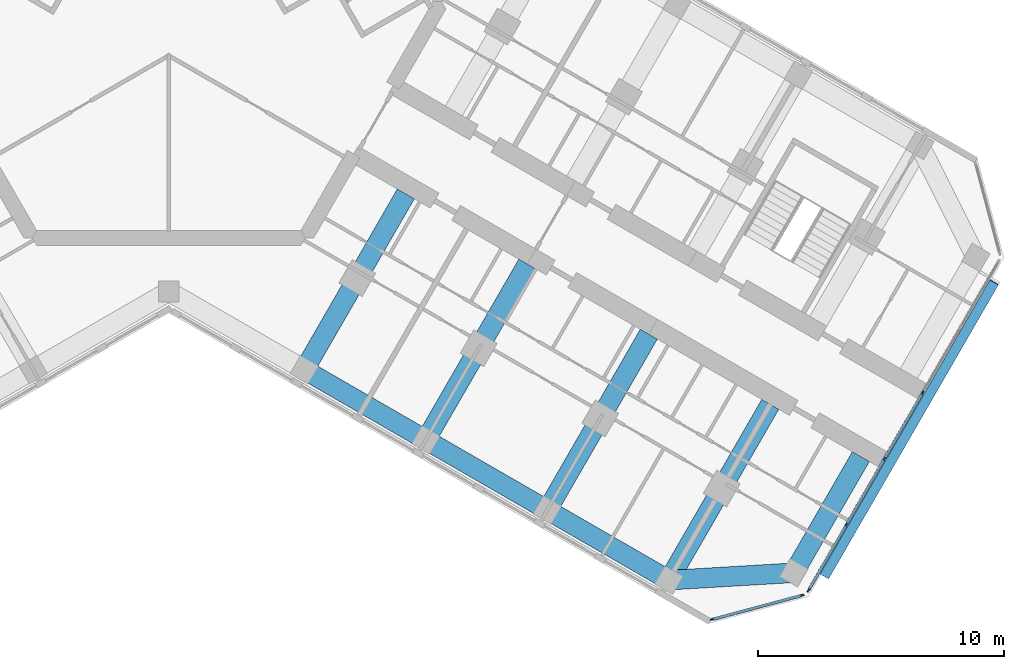
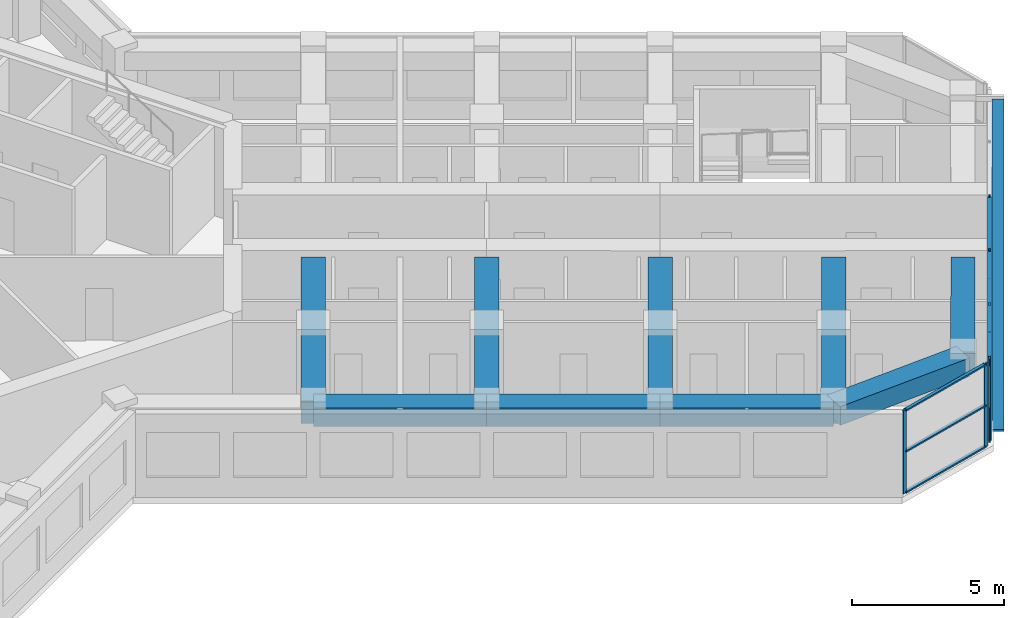
# One storey, part 4 of 16: 16 members, 9 beams, 2 elements without a shape of their own.
"""IFC4 building model written with IfcOpenShell, lengths in metres."""

from ifc_helpers import new_model, si_unit, direction, frame, origin, origin_2d, place, context, subcontext, project, spatial, rectangle, extrude, material, material_profile, profile_set, type_object, element, aggregate, save


model = new_model("IFC4")

# Units and contexts
model_context = context("Model", 3, precision=1e-05, world=origin(), true_north=direction((0.0, 1.0)))
body_context = subcontext(model_context, "Body", "Model", "MODEL_VIEW")
ifc_project = project(units=[si_unit("LENGTHUNIT", "METRE"), si_unit("AREAUNIT", "SQUARE_METRE"), si_unit("VOLUMEUNIT", "CUBIC_METRE"), si_unit("PLANEANGLEUNIT", "RADIAN"), si_unit("MASSUNIT", "GRAM", prefix="KILO")], contexts=[model_context])

# Site, building, storey
site_placement = place(None, origin())
site = spatial("IfcSite", under=ifc_project, at=site_placement, CompositionType="ELEMENT")
building_placement = place(site_placement, origin())
building = spatial("IfcBuilding", under=site, at=building_placement, Name="Kosmar Iwan School Tower", CompositionType="ELEMENT")
storey_placement = place(building_placement, frame((0.0, 0.0, 246.0)))
storey = spatial("IfcBuildingStorey", under=building, at=storey_placement, Name="L62", CompositionType="ELEMENT", Elevation=246.0)

# Member
ifc_material_1 = material(Name="Black anodised aluminium", Category="aluminium")
ifc_material_profile_1 = material_profile(ifc_material_1, rectangle(XDim=0.10009765625, YDim=0.39990234375, at=origin_2d()), Name="FIN 100x400")
ifc_profile_set_1 = profile_set([ifc_material_profile_1], Name="Black anodised aluminium")
member_type_1 = type_object("IfcMemberType", Name="Diagonal fin 100x400", PredefinedType="USERDEFINED", material=ifc_profile_set_1)
member_1_placement = place(storey_placement, frame((26.645263671875, -23.34912109375, -0.14990234375), z_axis=(0.483795538458, 0.837973939202, 0.252470897702), x_axis=(-0.126233699175, -0.218647221293, 0.967604488318)))
element("IfcMember", 1, at=member_1_placement, inside=storey, type_object=member_type_1, Name="Diagonal fin L62-F01", ObjectType="FIN", PredefinedType="USERDEFINED", context=body_context, shape_type="SweptSolid", body=[
    extrude(rectangle(XDim=0.10009765625, YDim=0.39990234375, at=origin_2d()), origin(), (0.0, 0.0, 1.0), 14.258544921875),
])

# Curtain wall, members
ifc_material_2 = material(Name="Dark glass in black aluminium frame", Category="aluminium")
curtain_wall_type_1 = type_object("IfcCurtainWallType", Name="Chamfer curtain wall dark glass", PredefinedType="USERDEFINED", material=ifc_material_2)
curtain_wall_1_placement = place(storey_placement, origin())
curtain_wall_1 = element("IfcCurtainWall", 2, at=curtain_wall_1_placement, inside=storey, type_object=curtain_wall_type_1, Name="Curtain wall L62-F00", ObjectType="FACETED CURTAIN WALL", PredefinedType="USERDEFINED")
ifc_material_3 = material(Name="Black anodised aluminium", Category="aluminium")
ifc_material_profile_2 = material_profile(ifc_material_3, rectangle(XDim=0.06005859375, YDim=0.159912109375, at=origin_2d()), Name="MULLION 60x160")
ifc_profile_set_2 = profile_set([ifc_material_profile_2], Name="Black anodised aluminium")
member_type_2 = type_object("IfcMemberType", Name="Mullion 60x160", PredefinedType="MULLION", material=ifc_profile_set_2)
member_2_placement = place(storey_placement, frame((22.0830078125, -25.102294921875, 0.0), z_axis=(0.0, 0.0, 1.0), x_axis=(-0.258818861462, 0.965925875495, 0.0)))
member_2 = element("IfcMember", 3, at=member_2_placement, type_object=member_type_2, Name="CW2 mullion 1", PredefinedType="MULLION", context=body_context, shape_type="SweptSolid", body=[
    extrude(rectangle(XDim=0.06005859375, YDim=0.159912109375, at=origin_2d()), origin(), (0.0, 0.0, 1.0), 3.35009765625),
])
member_3_placement = place(storey_placement, frame((25.733154296875, -24.124267578125, 0.0), z_axis=(0.0, 0.0, 1.0), x_axis=(-0.258818861462, 0.965925875495, 0.0)))
member_3 = element("IfcMember", 4, at=member_3_placement, type_object=member_type_2, Name="CW2 mullion 2", PredefinedType="MULLION", context=body_context, shape_type="SweptSolid", body=[
    extrude(rectangle(XDim=0.06005859375, YDim=0.159912109375, at=origin_2d()), origin(), (0.0, 0.0, 1.0), 3.35009765625),
])

ifc_material_4 = material(Name="Dark glass in black aluminium frame", Category="aluminium")
curtain_wall_type_2 = type_object("IfcCurtainWallType", Name="Tower curtain wall dark glass", PredefinedType="USERDEFINED", material=ifc_material_4)
curtain_wall_2_placement = place(storey_placement, origin())
curtain_wall_2 = element("IfcCurtainWall", 5, at=curtain_wall_2_placement, inside=storey, type_object=curtain_wall_type_2, Name="Curtain wall L62-F01", ObjectType="UNITISED CURTAIN WALL", PredefinedType="USERDEFINED")
member_4_placement = place(storey_placement, frame((25.9970703125, -23.921630859375, 0.0), z_axis=(0.0, 0.0, 1.0), x_axis=(-0.866025405329, 0.499999997325, 0.0)))
member_4 = element("IfcMember", 6, at=member_4_placement, type_object=member_type_2, Name="CW1 mullion 1", PredefinedType="MULLION", context=body_context, shape_type="SweptSolid", body=[
    extrude(rectangle(XDim=0.06005859375, YDim=0.159912109375, at=origin_2d()), origin(), (0.0, 0.0, 1.0), 3.35009765625),
])
member_5_placement = place(storey_placement, frame((27.53173828125, -21.263671875, 0.0), z_axis=(0.0, 0.0, 1.0), x_axis=(-0.866025405329, 0.499999997325, 0.0)))
member_5 = element("IfcMember", 7, at=member_5_placement, type_object=member_type_2, Name="CW1 mullion 2", PredefinedType="MULLION", context=body_context, shape_type="SweptSolid", body=[
    extrude(rectangle(XDim=0.06005859375, YDim=0.159912109375, at=origin_2d()), origin(), (0.0, 0.0, 1.0), 3.35009765625),
])
member_6_placement = place(storey_placement, frame((29.081298828125, -18.57958984375, 0.0), z_axis=(0.0, 0.0, 1.0), x_axis=(-0.866025405329, 0.499999997325, 0.0)))
member_6 = element("IfcMember", 8, at=member_6_placement, type_object=member_type_2, Name="CW1 mullion 3", PredefinedType="MULLION", context=body_context, shape_type="SweptSolid", body=[
    extrude(rectangle(XDim=0.06005859375, YDim=0.159912109375, at=origin_2d()), origin(), (0.0, 0.0, 1.0), 3.35009765625),
])
member_7_placement = place(storey_placement, frame((30.631103515625, -15.8955078125, 0.0), z_axis=(0.0, 0.0, 1.0), x_axis=(-0.866025405329, 0.499999997325, 0.0)))
member_7 = element("IfcMember", 9, at=member_7_placement, type_object=member_type_2, Name="CW1 mullion 4", PredefinedType="MULLION", context=body_context, shape_type="SweptSolid", body=[
    extrude(rectangle(XDim=0.06005859375, YDim=0.159912109375, at=origin_2d()), origin(), (0.0, 0.0, 1.0), 3.35009765625),
])

# Beams
ifc_material_5 = material(Name="Concrete C50/60", Category="concrete")
ifc_material_profile_3 = material_profile(ifc_material_5, rectangle(XDim=0.800048828125, YDim=0.75, at=origin_2d()), Name="RC 800x750")
ifc_profile_set_3 = profile_set([ifc_material_profile_3], Name="Concrete C50/60")
beam_type_1 = type_object("IfcBeamType", Name="RC edge beam 800x750", PredefinedType="BEAM", material=ifc_profile_set_3)
beam_1_placement = place(storey_placement, frame((5.5087890625, -14.95849609375, 2.97509765625), z_axis=(0.866033658841, -0.49998570155, 0.0), x_axis=(0.49998570155, 0.866033658841, 0.0)))
element("IfcBeam", 10, at=beam_1_placement, inside=storey, type_object=beam_type_1, Name="Edge beam CR2", PredefinedType="BEAM", context=body_context, shape_type="SweptSolid", body=[
    extrude(rectangle(XDim=0.800048828125, YDim=0.75, at=origin_2d()), origin(), (0.0, 0.0, 1.0), 5.699951171875),
])
beam_2_placement = place(storey_placement, frame((10.445068359375, -17.808349609375, 2.97509765625), z_axis=(0.866025820012, -0.499999279071, 0.0), x_axis=(0.499999279071, 0.866025820012, 0.0)))
element("IfcBeam", 11, at=beam_2_placement, inside=storey, type_object=beam_type_1, Name="Edge beam CR3", PredefinedType="BEAM", context=body_context, shape_type="SweptSolid", body=[
    extrude(rectangle(XDim=0.800048828125, YDim=0.75, at=origin_2d()), origin(), (0.0, 0.0, 1.0), 5.7001953125),
])
beam_3_placement = place(storey_placement, frame((15.381591796875, -20.658447265625, 2.97509765625), z_axis=(0.866015111908, -0.50001782563, 0.0), x_axis=(0.50001782563, 0.866015111908, 0.0)))
element("IfcBeam", 12, at=beam_3_placement, inside=storey, type_object=beam_type_1, Name="Edge beam CR4", PredefinedType="BEAM", context=body_context, shape_type="SweptSolid", body=[
    extrude(rectangle(XDim=0.800048828125, YDim=0.75, at=origin_2d()), origin(), (0.0, 0.0, 1.0), 5.699951171875),
])
ifc_material_6 = material(Name="Concrete C50/60", Category="concrete")
ifc_material_profile_4 = material_profile(ifc_material_6, rectangle(XDim=0.800048828125, YDim=0.75, at=origin_2d()), Name="RC 800x750")
ifc_profile_set_4 = profile_set([ifc_material_profile_4], Name="Concrete C50/60")
beam_type_2 = type_object("IfcBeamType", Name="RC tip beam 800x750", PredefinedType="BEAM", material=ifc_profile_set_4)
beam_4_placement = place(storey_placement, frame((20.31787109375, -23.508544921875, 2.97509765625), z_axis=(0.998260616478, 0.058955420358, 0.0), x_axis=(-0.058955420358, 0.998260616478, 0.0)))
element("IfcBeam", 13, at=beam_4_placement, inside=storey, type_object=beam_type_2, Name="Tip beam CR", PredefinedType="BEAM", context=body_context, shape_type="SweptSolid", body=[
    extrude(rectangle(XDim=0.800048828125, YDim=0.75, at=origin_2d()), origin(), (0.0, 0.0, 1.0), 5.08935546875),
])
beam_5_placement = place(storey_placement, frame((25.3984375, -23.20849609375, 2.97509765625), z_axis=(0.500022328685, 0.866012511928, 0.0), x_axis=(-0.866012511928, 0.500022328685, 0.0)))
element("IfcBeam", 14, at=beam_5_placement, inside=storey, type_object=beam_type_2, Name="Tip beam CR to corridor wall", PredefinedType="BEAM", context=body_context, shape_type="SweptSolid", body=[
    extrude(rectangle(XDim=0.800048828125, YDim=0.75, at=origin_2d()), origin(), (0.0, 0.0, 1.0), 5.449951171875),
])
ifc_material_7 = material(Name="Concrete C50/60", Category="concrete")
ifc_material_profile_5 = material_profile(ifc_material_7, rectangle(XDim=0.800048828125, YDim=0.89990234375, at=origin_2d()), Name="RC 800x900")
ifc_profile_set_5 = profile_set([ifc_material_profile_5], Name="Concrete C50/60")
beam_type_3 = type_object("IfcBeamType", Name="RC transverse beam 800x900", PredefinedType="BEAM", material=ifc_profile_set_5)
beam_6_placement = place(storey_placement, frame((5.5087890625, -14.95849609375, 2.89990234375), z_axis=(0.499996545922, 0.866027397988, 0.0), x_axis=(-0.866027397988, 0.499996545922, 0.0)))
element("IfcBeam", 15, at=beam_6_placement, inside=storey, type_object=beam_type_3, Name="Transverse beam CR1", PredefinedType="BEAM", context=body_context, shape_type="SweptSolid", body=[
    extrude(rectangle(XDim=0.800048828125, YDim=0.89990234375, at=origin_2d()), origin(), (0.0, 0.0, 1.0), 8.25),
])
beam_7_placement = place(storey_placement, frame((10.445068359375, -17.808349609375, 2.89990234375), z_axis=(0.500009360108, 0.866019999656, 0.0), x_axis=(-0.866019999656, 0.500009360108, 0.0)))
element("IfcBeam", 16, at=beam_7_placement, inside=storey, type_object=beam_type_3, Name="Transverse beam CR2", PredefinedType="BEAM", context=body_context, shape_type="SweptSolid", body=[
    extrude(rectangle(XDim=0.800048828125, YDim=0.89990234375, at=origin_2d()), origin(), (0.0, 0.0, 1.0), 8.249755859375),
])
for number, where, z_axis, x_axis, name in (
    (17, (15.381591796875, -20.658447265625, 2.89990234375), (0.499996545922, 0.866027397988, 0.0), (-0.866027397988, 0.499996545922, 0.0), "Transverse beam CR3"),
    (18, (20.31787109375, -23.508544921875, 2.89990234375), (0.499996545922, 0.866027397988, 0.0), (-0.866027397988, 0.499996545922, 0.0), "Transverse beam CR4"),
):
    element("IfcBeam", number, at=place(storey_placement, frame(where, z_axis=z_axis, x_axis=x_axis)), inside=storey, type_object=beam_type_3, Name=name, PredefinedType="BEAM", context=body_context, shape_type="SweptSolid", body=[
        extrude(rectangle(XDim=0.800048828125, YDim=0.89990234375, at=origin_2d()), origin(), (0.0, 0.0, 1.0), 8.25),
    ])

# Member
ifc_material_8 = material(Name="Black anodised aluminium", Category="aluminium")
ifc_material_profile_6 = material_profile(ifc_material_8, rectangle(XDim=0.1201171875, YDim=0.06005859375, at=origin_2d()), Name="TRANSOM 60x120")
ifc_profile_set_6 = profile_set([ifc_material_profile_6], Name="Black anodised aluminium")
member_type_3 = type_object("IfcMemberType", Name="Transom 60x120", PredefinedType="USERDEFINED", material=ifc_profile_set_6)
member_8_placement = place(storey_placement, frame((22.11181640625, -25.094482421875, 0.030029296875), z_axis=(0.965923731726, 0.258826861991, 0.0), x_axis=(-0.258826861991, 0.965923731726, 0.0)))
member_8 = element("IfcMember", 19, at=member_8_placement, type_object=member_type_3, Name="CW2 transom 1.1", ObjectType="TRANSOM", PredefinedType="USERDEFINED", context=body_context, shape_type="SweptSolid", body=[
    extrude(rectangle(XDim=0.1201171875, YDim=0.06005859375, at=origin_2d()), origin(), (0.0, 0.0, 1.0), 3.71923828125),
])

member_9_placement = place(storey_placement, frame((22.11181640625, -25.094482421875, 1.675048828125), z_axis=(0.965923731726, 0.258826861991, 0.0), x_axis=(-0.258826861991, 0.965923731726, 0.0)))
member_9 = element("IfcMember", 20, at=member_9_placement, type_object=member_type_3, Name="CW2 transom 1.2", ObjectType="TRANSOM", PredefinedType="USERDEFINED", context=body_context, shape_type="SweptSolid", body=[
    extrude(rectangle(XDim=0.1201171875, YDim=0.06005859375, at=origin_2d()), origin(), (0.0, 0.0, 1.0), 3.71923828125),
])

member_10_placement = place(storey_placement, frame((22.11181640625, -25.094482421875, 3.320068359375), z_axis=(0.965923731726, 0.258826861991, 0.0), x_axis=(-0.258826861991, 0.965923731726, 0.0)))
member_10 = element("IfcMember", 21, at=member_10_placement, type_object=member_type_3, Name="CW2 transom 1.3", ObjectType="TRANSOM", PredefinedType="USERDEFINED", context=body_context, shape_type="SweptSolid", body=[
    extrude(rectangle(XDim=0.1201171875, YDim=0.06005859375, at=origin_2d()), origin(), (0.0, 0.0, 1.0), 3.71923828125),
])

aggregate(curtain_wall_1, [member_2, member_3, member_8, member_9, member_10])

member_11_placement = place(storey_placement, frame((26.01220703125, -23.895751953125, 0.030029296875), z_axis=(0.499986971506, 0.866032925658, 0.0), x_axis=(-0.866032925658, 0.499986971506, 0.0)))
member_11 = element("IfcMember", 22, at=member_11_placement, type_object=member_type_3, Name="CW1 transom 1.1", ObjectType="TRANSOM", PredefinedType="USERDEFINED", context=body_context, shape_type="SweptSolid", body=[
    extrude(rectangle(XDim=0.1201171875, YDim=0.06005859375, at=origin_2d()), origin(), (0.0, 0.0, 1.0), 3.00927734375),
])

member_12_placement = place(storey_placement, frame((26.01220703125, -23.895751953125, 3.320068359375), z_axis=(0.499986971506, 0.866032925658, 0.0), x_axis=(-0.866032925658, 0.499986971506, 0.0)))
member_12 = element("IfcMember", 23, at=member_12_placement, type_object=member_type_3, Name="CW1 transom 1.2", ObjectType="TRANSOM", PredefinedType="USERDEFINED", context=body_context, shape_type="SweptSolid", body=[
    extrude(rectangle(XDim=0.1201171875, YDim=0.06005859375, at=origin_2d()), origin(), (0.0, 0.0, 1.0), 3.00927734375),
])

member_13_placement = place(storey_placement, frame((27.546875, -21.237548828125, 0.030029296875), z_axis=(0.499975102327, 0.866039777986, 0.0), x_axis=(-0.866039777986, 0.499975102327, 0.0)))
member_13 = element("IfcMember", 24, at=member_13_placement, type_object=member_type_3, Name="CW1 transom 2.1", ObjectType="TRANSOM", PredefinedType="USERDEFINED", context=body_context, shape_type="SweptSolid", body=[
    extrude(rectangle(XDim=0.1201171875, YDim=0.06005859375, at=origin_2d()), origin(), (0.0, 0.0, 1.0), 3.039306640625),
])

member_14_placement = place(storey_placement, frame((27.546875, -21.237548828125, 3.320068359375), z_axis=(0.499975102327, 0.866039777986, 0.0), x_axis=(-0.866039777986, 0.499975102327, 0.0)))
member_14 = element("IfcMember", 25, at=member_14_placement, type_object=member_type_3, Name="CW1 transom 2.2", ObjectType="TRANSOM", PredefinedType="USERDEFINED", context=body_context, shape_type="SweptSolid", body=[
    extrude(rectangle(XDim=0.1201171875, YDim=0.06005859375, at=origin_2d()), origin(), (0.0, 0.0, 1.0), 3.039306640625),
])

member_15_placement = place(storey_placement, frame((29.096435546875, -18.553466796875, 0.030029296875), z_axis=(0.499975102327, 0.866039777986, 0.0), x_axis=(-0.866039777986, 0.499975102327, 0.0)))
member_15 = element("IfcMember", 26, at=member_15_placement, type_object=member_type_3, Name="CW1 transom 3.1", ObjectType="TRANSOM", PredefinedType="USERDEFINED", context=body_context, shape_type="SweptSolid", body=[
    extrude(rectangle(XDim=0.1201171875, YDim=0.06005859375, at=origin_2d()), origin(), (0.0, 0.0, 1.0), 3.039306640625),
])

member_16_placement = place(storey_placement, frame((29.096435546875, -18.553466796875, 3.320068359375), z_axis=(0.499975102327, 0.866039777986, 0.0), x_axis=(-0.866039777986, 0.499975102327, 0.0)))
member_16 = element("IfcMember", 27, at=member_16_placement, type_object=member_type_3, Name="CW1 transom 3.2", ObjectType="TRANSOM", PredefinedType="USERDEFINED", context=body_context, shape_type="SweptSolid", body=[
    extrude(rectangle(XDim=0.1201171875, YDim=0.06005859375, at=origin_2d()), origin(), (0.0, 0.0, 1.0), 3.039306640625),
])

aggregate(curtain_wall_2, [member_4, member_5, member_6, member_7, member_11, member_12, member_13, member_14, member_15, member_16])

save(model, "model.ifc")
